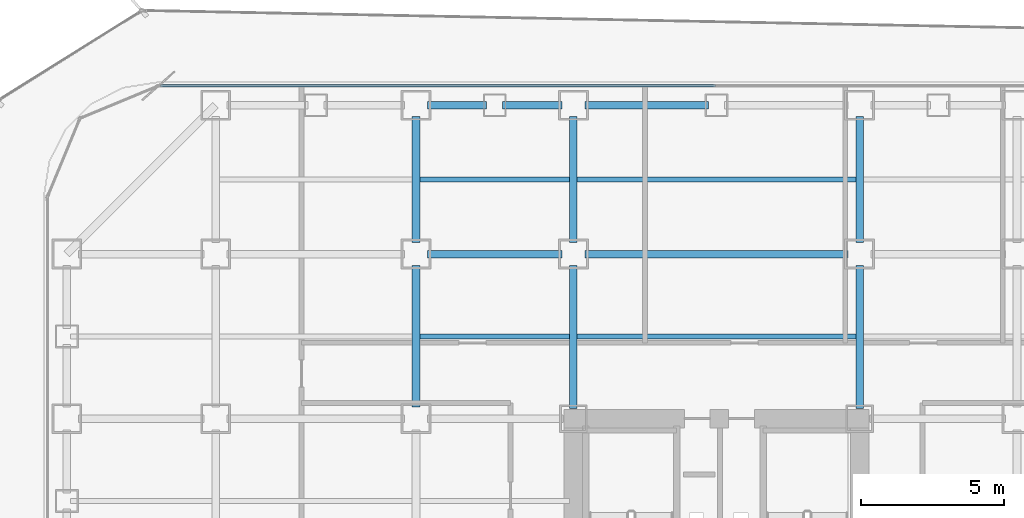
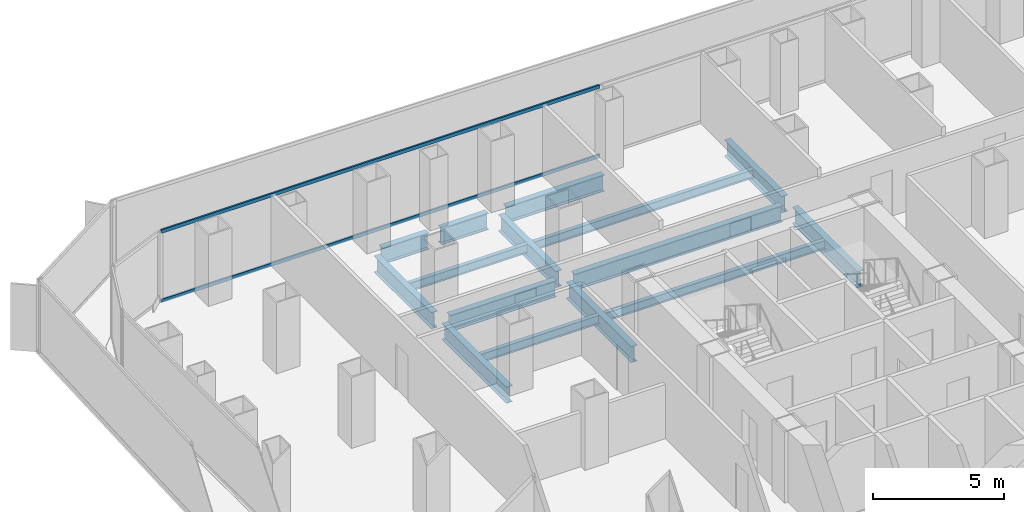
# One storey, part 12 of 22: 15 beams, 2 members, 1 element without a shape of its own.
"""IFC4 building model written with IfcOpenShell, lengths in metres."""

from ifc_helpers import new_model, si_unit, direction, frame, origin, origin_2d, place, context, subcontext, project, spatial, hollow_rectangle, i_section, extrude, source, transform, mapped, material, layer, layer_set, material_profile, profile_set, type_object, element, aggregate, save


model = new_model("IFC4")

# Units and contexts
model_context = context("Model", 3, precision=1e-05, world=origin(), true_north=direction((0.0, 1.0)))
body_context = subcontext(model_context, "Body", "Model", "MODEL_VIEW")
ifc_project = project(units=[si_unit("LENGTHUNIT", "METRE"), si_unit("AREAUNIT", "SQUARE_METRE"), si_unit("VOLUMEUNIT", "CUBIC_METRE"), si_unit("PLANEANGLEUNIT", "RADIAN"), si_unit("MASSUNIT", "GRAM", prefix="KILO")], contexts=[model_context])

# Site, building, storey
site_placement = place(None, origin())
site = spatial("IfcSite", under=ifc_project, at=site_placement, CompositionType="ELEMENT")
building_placement = place(site_placement, origin())
building = spatial("IfcBuilding", under=site, at=building_placement, Name="Kolveth Station Tower", CompositionType="ELEMENT")
storey_placement = place(building_placement, frame((0.0, 0.0, 51.300048828125)))
storey = spatial("IfcBuildingStorey", under=building, at=storey_placement, Name="L13", CompositionType="ELEMENT", Elevation=51.300048828125)

# Beams
ifc_material_1 = material(Name="Steel S355", Category="steel")
ifc_material_profile_1 = material_profile(ifc_material_1, i_section(OverallWidth=0.26904296875, OverallDepth=0.77490234375, WebThickness=0.01708984375, FlangeThickness=0.0283203125, at=origin_2d()), Name="W760x220")
ifc_profile_set_1 = profile_set([ifc_material_profile_1], Name="Steel S355")
beam_type_1 = type_object("IfcBeamType", Name="Beam_SP1", PredefinedType="SPANDREL", material=ifc_profile_set_1)
shared_shape_1 = source(origin(), body_context, "Body", "SweptSolid", [
    extrude(i_section(OverallWidth=0.26904296875, OverallDepth=0.77490234375, WebThickness=0.01708984375, FlangeThickness=0.0283203125, at=origin_2d()), origin(), (0.0, 0.0, 1.0), 2.070068359375),
])
for number, where, z_axis, x_axis, name in (
    (1, (13.39990234375, 39.699951171875, -0.66748046875), (1.0, 0.0, 0.0), (0.0, 1.0, 0.0), "L13 Perimeter Spandrel BM-L13-PN-3"),
    (2, (16.030029296875, 39.699951171875, -0.66748046875), (1.0, 0.0, 0.0), (0.0, 1.0, 0.0), "L13 Perimeter Spandrel BM-L13-PN-4"),
):
    element("IfcBeam", number, at=place(storey_placement, frame(where, z_axis=z_axis, x_axis=x_axis)), inside=storey, type_object=beam_type_1, Name=name, PredefinedType="SPANDREL", context=body_context, shape_type="MappedRepresentation", body=[
        mapped(shared_shape_1, transform((0.0, 0.0, 0.0), x_axis=(1.0, 0.0, 0.0), y_axis=(0.0, 1.0, 0.0), z_axis=(0.0, 0.0, 1.0), scale=1.0)),
    ])
shared_shape_2 = source(origin(), body_context, "Body", "SweptSolid", [
    extrude(i_section(OverallWidth=0.26904296875, OverallDepth=0.77490234375, WebThickness=0.01708984375, FlangeThickness=0.0283203125, at=origin_2d()), origin(), (0.0, 0.0, 1.0), 4.320068359375),
])
beam_1_placement = place(storey_placement, frame((18.89990234375, 39.699951171875, -0.66748046875), z_axis=(1.0, 0.0, 0.0), x_axis=(0.0, 1.0, 0.0)))
element("IfcBeam", 3, at=beam_1_placement, inside=storey, type_object=beam_type_1, Name="L13 Perimeter Spandrel BM-L13-PN-5", PredefinedType="SPANDREL", context=body_context, shape_type="MappedRepresentation", body=[
    mapped(shared_shape_2, transform((0.0, 0.0, 0.0), x_axis=(1.0, 0.0, 0.0), y_axis=(0.0, 1.0, 0.0), z_axis=(0.0, 0.0, 1.0), scale=1.0)),
])
ifc_material_profile_2 = material_profile(ifc_material_1, i_section(OverallWidth=0.26708984375, OverallDepth=0.76611328125, WebThickness=0.014892578125, FlangeThickness=0.023681640625, at=origin_2d()), Name="W760x185")
ifc_profile_set_2 = profile_set([ifc_material_profile_2], Name="Steel S355")
beam_type_2 = type_object("IfcBeamType", Name="Beam_B3", PredefinedType="BEAM", material=ifc_profile_set_2)
shared_shape_3 = source(origin(), body_context, "Body", "SweptSolid", [
    extrude(i_section(OverallWidth=0.26708984375, OverallDepth=0.76611328125, WebThickness=0.014892578125, FlangeThickness=0.023681640625, at=origin_2d()), origin(), (0.0, 0.0, 1.0), 4.400146484375),
])
for number, where, z_axis, x_axis, name in (
    (4, (13.0, 34.89990234375, -0.6630859375), (0.0, 1.0, 0.0), (-1.0, 0.0, 0.0), "L13 Primary Girder BM-L13-GX130-7"),
    (5, (18.5, 34.89990234375, -0.6630859375), (0.0, 1.0, 0.0), (-1.0, 0.0, 0.0), "L13 Primary Girder BM-L13-GX185-7"),
    (6, (28.5, 34.89990234375, -0.6630859375), (0.0, 1.0, 0.0), (-1.0, 0.0, 0.0), "L13 Primary Girder BM-L13-GX285-7"),
):
    element("IfcBeam", number, at=place(storey_placement, frame(where, z_axis=z_axis, x_axis=x_axis)), inside=storey, type_object=beam_type_2, Name=name, PredefinedType="BEAM", context=body_context, shape_type="MappedRepresentation", body=[
        mapped(shared_shape_3, transform((0.0, 0.0, 0.0), x_axis=(1.0, 0.0, 0.0), y_axis=(0.0, 1.0, 0.0), z_axis=(0.0, 0.0, 1.0), scale=1.0)),
    ])
shared_shape_4 = source(origin(), body_context, "Body", "SweptSolid", [
    extrude(i_section(OverallWidth=0.26708984375, OverallDepth=0.76611328125, WebThickness=0.014892578125, FlangeThickness=0.023681640625, at=origin_2d()), origin(), (0.0, 0.0, 1.0), 4.7001953125),
])
beam_2_placement = place(storey_placement, frame((13.39990234375, 34.5, -0.6630859375), z_axis=(1.0, 0.0, 0.0), x_axis=(0.0, 1.0, 0.0)))
element("IfcBeam", 7, at=beam_2_placement, inside=storey, type_object=beam_type_2, Name="L13 Primary Girder BM-L13-GY345-3", PredefinedType="BEAM", context=body_context, shape_type="MappedRepresentation", body=[
    mapped(shared_shape_4, transform((0.0, 0.0, 0.0), x_axis=(1.0, 0.0, 0.0), y_axis=(0.0, 1.0, 0.0), z_axis=(0.0, 0.0, 1.0), scale=1.0)),
])
shared_shape_5 = source(origin(), body_context, "Body", "SweptSolid", [
    extrude(i_section(OverallWidth=0.26708984375, OverallDepth=0.76611328125, WebThickness=0.014892578125, FlangeThickness=0.023681640625, at=origin_2d()), origin(), (0.0, 0.0, 1.0), 9.2001953125),
])
beam_3_placement = place(storey_placement, frame((18.89990234375, 34.5, -0.6630859375), z_axis=(1.0, 0.0, 0.0), x_axis=(0.0, 1.0, 0.0)))
element("IfcBeam", 8, at=beam_3_placement, inside=storey, type_object=beam_type_2, Name="L13 Primary Girder BM-L13-GY345-4", PredefinedType="BEAM", context=body_context, shape_type="MappedRepresentation", body=[
    mapped(shared_shape_5, transform((0.0, 0.0, 0.0), x_axis=(1.0, 0.0, 0.0), y_axis=(0.0, 1.0, 0.0), z_axis=(0.0, 0.0, 1.0), scale=1.0)),
])
shared_shape_6 = source(origin(), body_context, "Body", "SweptSolid", [
    extrude(i_section(OverallWidth=0.26708984375, OverallDepth=0.76611328125, WebThickness=0.014892578125, FlangeThickness=0.023681640625, at=origin_2d()), origin(), (0.0, 0.0, 1.0), 4.9501953125),
])
beam_4_placement = place(storey_placement, frame((13.0, 29.14990234375, -0.6630859375), z_axis=(0.0, 1.0, 0.0), x_axis=(-1.0, 0.0, 0.0)))
element("IfcBeam", 9, at=beam_4_placement, inside=storey, type_object=beam_type_2, Name="L13 Primary Girder BM-L13-GX130-6", PredefinedType="BEAM", context=body_context, shape_type="MappedRepresentation", body=[
    mapped(shared_shape_6, transform((0.0, 0.0, 0.0), x_axis=(1.0, 0.0, 0.0), y_axis=(0.0, 1.0, 0.0), z_axis=(0.0, 0.0, 1.0), scale=1.0)),
])
shared_shape_7 = source(origin(), body_context, "Body", "SweptSolid", [
    extrude(i_section(OverallWidth=0.26708984375, OverallDepth=0.76611328125, WebThickness=0.014892578125, FlangeThickness=0.023681640625, at=origin_2d()), origin(), (0.0, 0.0, 1.0), 4.989990234375),
])
for number, where, z_axis, x_axis, name in (
    (10, (18.5, 29.110107421875, -0.6630859375), (0.0, 1.0, 0.0), (-1.0, 0.0, 0.0), "L13 Primary Girder BM-L13-GX185-6"),
    (11, (28.5, 29.110107421875, -0.6630859375), (0.0, 1.0, 0.0), (-1.0, 0.0, 0.0), "L13 Primary Girder BM-L13-GX285-6"),
):
    element("IfcBeam", number, at=place(storey_placement, frame(where, z_axis=z_axis, x_axis=x_axis)), inside=storey, type_object=beam_type_2, Name=name, PredefinedType="BEAM", context=body_context, shape_type="MappedRepresentation", body=[
        mapped(shared_shape_7, transform((0.0, 0.0, 0.0), x_axis=(1.0, 0.0, 0.0), y_axis=(0.0, 1.0, 0.0), z_axis=(0.0, 0.0, 1.0), scale=1.0)),
    ])
ifc_material_profile_3 = material_profile(ifc_material_1, i_section(OverallWidth=0.177978515625, OverallDepth=0.406982421875, WebThickness=0.0078125, FlangeThickness=0.0126953125, at=origin_2d()), Name="W410x60")
ifc_profile_set_3 = profile_set([ifc_material_profile_3], Name="Steel S355")
beam_type_3 = type_object("IfcBeamType", Name="Beam_J1", PredefinedType="JOIST", material=ifc_profile_set_3)
shared_shape_8 = source(origin(), body_context, "Body", "SweptSolid", [
    extrude(i_section(OverallWidth=0.177978515625, OverallDepth=0.406982421875, WebThickness=0.0078125, FlangeThickness=0.0126953125, at=origin_2d()), origin(), (0.0, 0.0, 1.0), 5.23681640625),
])
for number, where, z_axis, x_axis, name in (
    (12, (13.131591796875, 31.625, -0.483642578125), (1.0, 0.0, 0.0), (0.0, 1.0, 0.0), "L13 Secondary Joist JST-L13-3-6"),
    (13, (13.131591796875, 37.10009765625, -0.483642578125), (1.0, 0.0, 0.0), (0.0, 1.0, 0.0), "L13 Secondary Joist JST-L13-3-7"),
):
    element("IfcBeam", number, at=place(storey_placement, frame(where, z_axis=z_axis, x_axis=x_axis)), inside=storey, type_object=beam_type_3, Name=name, PredefinedType="JOIST", context=body_context, shape_type="MappedRepresentation", body=[
        mapped(shared_shape_8, transform((0.0, 0.0, 0.0), x_axis=(1.0, 0.0, 0.0), y_axis=(0.0, 1.0, 0.0), z_axis=(0.0, 0.0, 1.0), scale=1.0)),
    ])
shared_shape_9 = source(origin(), body_context, "Body", "SweptSolid", [
    extrude(i_section(OverallWidth=0.177978515625, OverallDepth=0.406982421875, WebThickness=0.0078125, FlangeThickness=0.0126953125, at=origin_2d()), origin(), (0.0, 0.0, 1.0), 9.73681640625),
])
for number, where, z_axis, x_axis, name in (
    (14, (18.631591796875, 31.625, -0.483642578125), (1.0, 0.0, 0.0), (0.0, 1.0, 0.0), "L13 Secondary Joist JST-L13-4-6"),
    (15, (18.631591796875, 37.10009765625, -0.483642578125), (1.0, 0.0, 0.0), (0.0, 1.0, 0.0), "L13 Secondary Joist JST-L13-4-7"),
):
    element("IfcBeam", number, at=place(storey_placement, frame(where, z_axis=z_axis, x_axis=x_axis)), inside=storey, type_object=beam_type_3, Name=name, PredefinedType="JOIST", context=body_context, shape_type="MappedRepresentation", body=[
        mapped(shared_shape_9, transform((0.0, 0.0, 0.0), x_axis=(1.0, 0.0, 0.0), y_axis=(0.0, 1.0, 0.0), z_axis=(0.0, 0.0, 1.0), scale=1.0)),
    ])

# Curtain wall, members
ifc_material_2 = material(Name="Aluminium 6063-T6 and low-E dark glass", Category="aluminium")
ifc_layer = layer(ifc_material_2, 0.179931640625)
ifc_layer_set = layer_set([ifc_layer], Name="Aluminium 6063-T6 and low-E dark glass")
curtain_wall_type = type_object("IfcCurtainWallType", Name="CurtainWall_CW-Z1", PredefinedType="NOTDEFINED", material=ifc_layer_set)
curtain_wall_placement = place(storey_placement, origin())
curtain_wall = element("IfcCurtainWall", 16, at=curtain_wall_placement, inside=storey, type_object=curtain_wall_type, Name="L13 Inner Thermal Curtain Wall 6", PredefinedType="NOTDEFINED")
ifc_material_3 = material(Name="Black anodized aluminium 6063-T6", Category="aluminium")
ifc_material_profile_4 = material_profile(ifc_material_3, hollow_rectangle(XDim=0.074951171875, YDim=0.159912109375, WallThickness=0.0048828125, at=origin_2d()), Name="ALU-75x160x5")
ifc_profile_set_4 = profile_set([ifc_material_profile_4], Name="Black anodized aluminium 6063-T6")
member_type = type_object("IfcMemberType", Name="Transom_TR1", PredefinedType="USERDEFINED", material=ifc_profile_set_4)
shared_shape_10 = source(origin(), body_context, "Body", "SweptSolid", [
    extrude(hollow_rectangle(XDim=0.074951171875, YDim=0.159912109375, WallThickness=0.0048828125, at=origin_2d()), origin(), (0.0, 0.0, 1.0), 19.387451171875),
])
member_1_placement = place(storey_placement, frame((23.46240234375, 40.3798828125, 0.037353515625), z_axis=(-1.0, 0.0, 0.0), x_axis=(0.0, -1.0, 0.0)))
member_1 = element("IfcMember", 17, at=member_1_placement, type_object=member_type, Name="CW-Z1 transom 2.1", ObjectType="TRANSOM", PredefinedType="USERDEFINED", context=body_context, shape_type="MappedRepresentation", body=[
    mapped(shared_shape_10, transform((0.0, 0.0, 0.0), x_axis=(1.0, 0.0, 0.0), y_axis=(0.0, 1.0, 0.0), z_axis=(0.0, 0.0, 1.0), scale=1.0)),
])
member_2_placement = place(storey_placement, frame((23.46240234375, 40.3798828125, 3.282470703125), z_axis=(-1.0, 0.0, 0.0), x_axis=(0.0, -1.0, 0.0)))
member_2 = element("IfcMember", 18, at=member_2_placement, type_object=member_type, Name="CW-Z1 transom 2.2", ObjectType="TRANSOM", PredefinedType="USERDEFINED", context=body_context, shape_type="MappedRepresentation", body=[
    mapped(shared_shape_10, transform((0.0, 0.0, 0.0), x_axis=(1.0, 0.0, 0.0), y_axis=(0.0, 1.0, 0.0), z_axis=(0.0, 0.0, 1.0), scale=1.0)),
])
aggregate(curtain_wall, [member_1, member_2])

save(model, "model.ifc")
